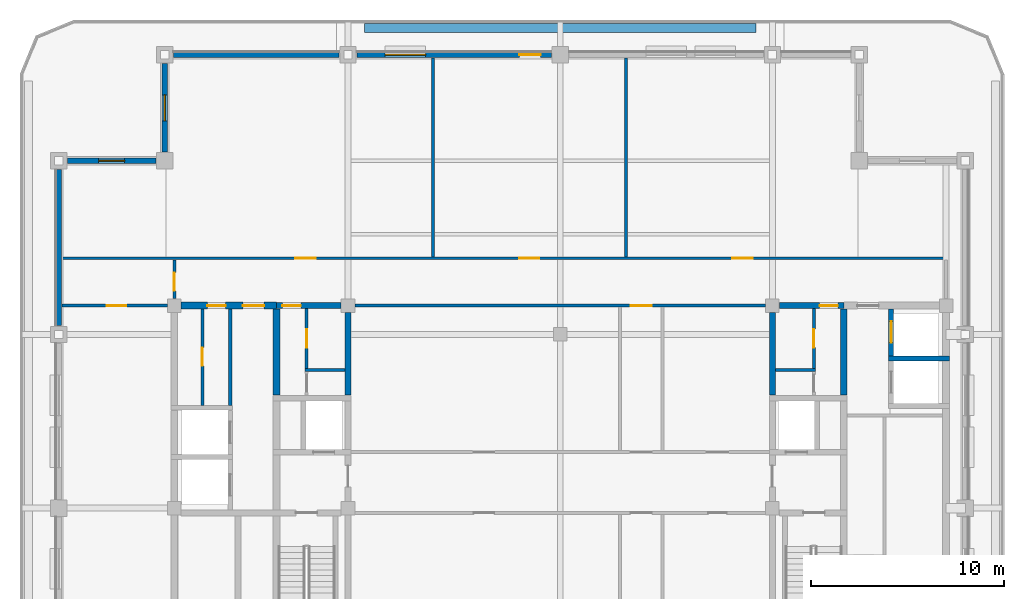
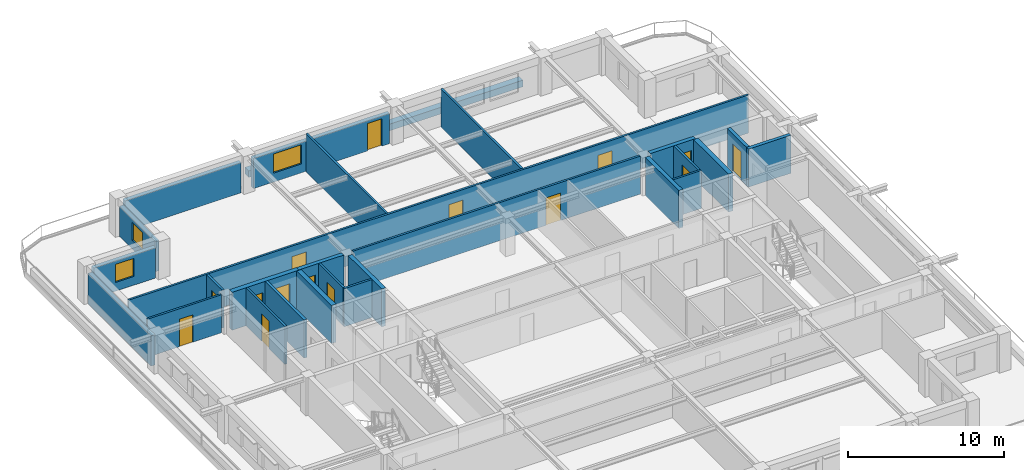
# One storey, part 5 of 11: 27 walls, 15 doors, 3 windows, 18 openings.
"""IFC4 building model written with IfcOpenShell, lengths in metres."""

from ifc_helpers import new_model, si_unit, direction, frame, frame_2d, origin, place, context, subcontext, project, spatial, rectangle, extrude, material, layer, layer_set, type_object, element, fill, save


model = new_model("IFC4")

# Units and contexts
model_context = context("Model", 3, precision=1e-05, world=origin(), true_north=direction((0.0, 1.0)))
body_context = subcontext(model_context, "Body", "Model", "MODEL_VIEW")
ifc_project = project(units=[si_unit("LENGTHUNIT", "METRE"), si_unit("AREAUNIT", "SQUARE_METRE"), si_unit("VOLUMEUNIT", "CUBIC_METRE"), si_unit("PLANEANGLEUNIT", "RADIAN"), si_unit("MASSUNIT", "GRAM", prefix="KILO")], contexts=[model_context])

# Site, building, storey
site_placement = place(None, origin())
site = spatial("IfcSite", under=ifc_project, at=site_placement, CompositionType="ELEMENT")
building_placement = place(site_placement, origin())
building = spatial("IfcBuilding", under=site, at=building_placement, Name="Zulmaris Gate Convention Tower", CompositionType="ELEMENT")
storey_placement = place(building_placement, frame((0.0, 0.0, 260.889892578125)))
storey = spatial("IfcBuildingStorey", under=building, at=storey_placement, Name="L69", CompositionType="ELEMENT", Elevation=260.889892578125)

# Wall
ifc_material_1 = material(Name="Concrete C50/60", Category="concrete")
ifc_layer_1 = layer(ifc_material_1, 0.25, Name="Concrete C50/60")
ifc_layer_set_1 = layer_set([ifc_layer_1], Name="Concrete C50/60")
wall_type_1 = type_object("IfcWallType", Name="CORE-250", PredefinedType="SOLIDWALL", material=ifc_layer_set_1)
wall_1_placement = place(storey_placement, frame((17.02490234375, 7.75, 0.0), z_axis=(0.0, 0.0, 1.0), x_axis=(1.0, 0.0, 0.0)))
element("IfcWall", 1, at=wall_1_placement, inside=storey, type_object=wall_type_1, Name="WL-L69-014", PredefinedType="SOLIDWALL", context=body_context, shape_type="SweptSolid", body=[
    extrude(rectangle(XDim=3.150146484375, YDim=0.25, at=frame_2d((1.5751953125, 0.0))), origin(), (0.0, 0.0, 1.0), 2.97998046875),
])

# Wall, opening, door
wall_2_placement = place(storey_placement, frame((17.14990234375, 7.876953125, 0.0), z_axis=(0.0, 0.0, 1.0), x_axis=(0.0, 1.0, 0.0)))
wall_2 = element("IfcWall", 2, at=wall_2_placement, inside=storey, type_object=wall_type_1, Name="WL-L69-060", PredefinedType="SOLIDWALL", context=body_context, shape_type="SweptSolid", body=[
    extrude(rectangle(XDim=2.446044921875, YDim=0.25, at=frame_2d((1.22314453125, 0.0))), origin(), (0.0, 0.0, 1.0), 2.97998046875),
])
opening_1_placement = place(wall_2_placement, frame((0.697998046875, 0.0, 0.0)))
opening_1 = element("IfcOpeningElement", 3, at=opening_1_placement, cuts=wall_2, Name="Opening D-06", PredefinedType="OPENING", context=body_context, shape_type="SweptSolid", body=[
    extrude(rectangle(XDim=1.10009765625, YDim=2.199951171875, at=frame_2d((0.550048828125, 1.10009765625))), frame((0.0, 0.135009765625, 0.0), z_axis=(0.0, -1.0, 0.0), x_axis=(1.0, 0.0, 0.0)), (0.0, 0.0, 1.0), 0.27001953125),
])
ifc_material_2 = material(Name="Brushed Stainless Steel", Category="steel")
door_type_1 = type_object("IfcDoorType", Name="LD-1100", OperationType="NOTDEFINED", PredefinedType="DOOR", material=ifc_material_2)
door_1_placement = place(opening_1_placement, origin())
door_1 = element("IfcDoor", 4, at=door_1_placement, inside=storey, type_object=door_type_1, Name="L69 Lift Landing Door HP-02 20", OperationType="SLIDING_TO_RIGHT", OverallHeight=2.199951171875, OverallWidth=1.10009765625, PredefinedType="DOOR", context=body_context, shape_type="SweptSolid", body=[
    extrude(rectangle(XDim=1.10009765625, YDim=2.199951171875, at=frame_2d((0.550048828125, 1.10009765625))), frame((0.0, 0.02490234375, 0.0), z_axis=(0.0, -1.0, 0.0), x_axis=(1.0, 0.0, 0.0)), (0.0, 0.0, 1.0), 0.050048828125),
])
fill(opening_1, door_1)

ifc_layer_2 = layer(ifc_material_1, 0.300048828125, Name="Concrete C50/60")
ifc_layer_set_2 = layer_set([ifc_layer_2], Name="Concrete C50/60")
wall_type_2 = type_object("IfcWallType", Name="CORE-300", PredefinedType="SHEAR", material=ifc_layer_set_2)
wall_3_placement = place(storey_placement, frame((-14.699951171875, 10.5, 0.0), z_axis=(0.0, 0.0, 1.0), x_axis=(1.0, 0.0, 0.0)))
wall_3 = element("IfcWall", 5, at=wall_3_placement, inside=storey, type_object=wall_type_2, Name="WL-L69-016", PredefinedType="SHEAR", context=body_context, shape_type="SweptSolid", body=[
    extrude(rectangle(XDim=3.345947265625, YDim=0.300048828125, at=frame_2d((1.6728515625, 0.0))), origin(), (0.0, 0.0, 1.0), 2.97998046875),
])
opening_2_placement = place(wall_3_placement, frame((0.304931640625, 0.0, 0.0)))
opening_2 = element("IfcOpeningElement", 6, at=opening_2_placement, cuts=wall_3, Name="Opening D-11", PredefinedType="OPENING", context=body_context, shape_type="SweptSolid", body=[
    extrude(rectangle(XDim=0.949951171875, YDim=2.14990234375, at=frame_2d((0.47509765625, 1.074951171875))), frame((0.0, 0.16015625, 0.0), z_axis=(0.0, -1.0, 0.0), x_axis=(1.0, 0.0, 0.0)), (0.0, 0.0, 1.0), 0.320068359375),
])
ifc_material_3 = material(Name="Fire-Rated Timber", Category="wood")
door_type_2 = type_object("IfcDoorType", Name="DR-950-FD", OperationType="NOTDEFINED", PredefinedType="DOOR", material=ifc_material_3)
door_2_placement = place(opening_2_placement, origin())
door_2 = element("IfcDoor", 7, at=door_2_placement, inside=storey, type_object=door_type_2, Name="L69 Core West Passage Door 07", OperationType="SINGLE_SWING_RIGHT", OverallHeight=2.14990234375, OverallWidth=0.949951171875, PredefinedType="DOOR", context=body_context, shape_type="SweptSolid", body=[
    extrude(rectangle(XDim=0.949951171875, YDim=2.14990234375, at=frame_2d((0.47509765625, 1.074951171875))), frame((0.0, 0.02490234375, 0.0), z_axis=(0.0, -1.0, 0.0), x_axis=(1.0, 0.0, 0.0)), (0.0, 0.0, 1.0), 0.050048828125),
])
fill(opening_2, door_2)

wall_4_placement = place(storey_placement, frame((11.35400390625, 10.5, 0.0), z_axis=(0.0, 0.0, 1.0), x_axis=(1.0, 0.0, 0.0)))
wall_4 = element("IfcWall", 8, at=wall_4_placement, inside=storey, type_object=wall_type_2, Name="WL-L69-017", PredefinedType="SHEAR", context=body_context, shape_type="SweptSolid", body=[
    extrude(rectangle(XDim=3.345947265625, YDim=0.300048828125, at=frame_2d((1.6728515625, 0.0))), origin(), (0.0, 0.0, 1.0), 2.97998046875),
])
opening_3_placement = place(wall_4_placement, frame((2.091064453125, 0.0, 0.0)))
opening_3 = element("IfcOpeningElement", 9, at=opening_3_placement, cuts=wall_4, Name="Opening D-11", PredefinedType="OPENING", context=body_context, shape_type="SweptSolid", body=[
    extrude(rectangle(XDim=0.949951171875, YDim=2.14990234375, at=frame_2d((0.47509765625, 1.074951171875))), frame((0.0, 0.16015625, 0.0), z_axis=(0.0, -1.0, 0.0), x_axis=(1.0, 0.0, 0.0)), (0.0, 0.0, 1.0), 0.320068359375),
])
door_3_placement = place(opening_3_placement, origin())
door_3 = element("IfcDoor", 10, at=door_3_placement, inside=storey, type_object=door_type_2, Name="L69 Core East Passage Door 10", OperationType="SINGLE_SWING_LEFT", OverallHeight=2.14990234375, OverallWidth=0.949951171875, PredefinedType="DOOR", context=body_context, shape_type="SweptSolid", body=[
    extrude(rectangle(XDim=0.949951171875, YDim=2.14990234375, at=frame_2d((0.47509765625, 1.074951171875))), frame((0.0, 0.02490234375, 0.0), z_axis=(0.0, -1.0, 0.0), x_axis=(1.0, 0.0, 0.0)), (0.0, 0.0, 1.0), 0.050048828125),
])
fill(opening_3, door_3)

# Walls
for number, where, z_axis, x_axis, name in (
    (11, (-11.0, 5.85205078125, 0.0), (0.0, 0.0, 1.0), (0.0, 1.0, 0.0), "WL-L69-048"),
    (12, (11.0, 5.85205078125, 0.0), (0.0, 0.0, 1.0), (0.0, 1.0, 0.0), "WL-L69-052"),
):
    element("IfcWall", number, at=place(storey_placement, frame(where, z_axis=z_axis, x_axis=x_axis)), inside=storey, type_object=wall_type_2, Name=name, PredefinedType="SHEAR", context=body_context, shape_type="SweptSolid", body=[
        extrude(rectangle(XDim=4.2939453125, YDim=0.300048828125, at=frame_2d((2.14697265625, 0.0))), origin(), (0.0, 0.0, 1.0), 2.97998046875),
    ])

# Wall, openings, doors
ifc_material_4 = material(Name="Concrete C55/67", Category="concrete")
ifc_layer_3 = layer(ifc_material_4, 0.35009765625, Name="Concrete C55/67")
ifc_layer_set_3 = layer_set([ifc_layer_3], Name="Concrete C55/67")
wall_type_3 = type_object("IfcWallType", Name="CORE-350", PredefinedType="SHEAR", material=ifc_layer_set_3)
wall_5_placement = place(storey_placement, frame((-19.64599609375, 10.5, 0.0), z_axis=(0.0, 0.0, 1.0), x_axis=(1.0, 0.0, 0.0)))
wall_5 = element("IfcWall", 13, at=wall_5_placement, inside=storey, type_object=wall_type_3, Name="WL-L69-015", PredefinedType="SHEAR", context=body_context, shape_type="SweptSolid", body=[
    extrude(rectangle(XDim=4.946044921875, YDim=0.35009765625, at=frame_2d((2.47314453125, 0.0))), origin(), (0.0, 0.0, 1.0), 2.97998046875),
])
opening_4_placement = place(wall_5_placement, frame((3.196044921875, 0.0, 0.0)))
opening_4 = element("IfcOpeningElement", 14, at=opening_4_placement, cuts=wall_5, Name="Opening D-08", PredefinedType="OPENING", context=body_context, shape_type="SweptSolid", body=[
    extrude(rectangle(XDim=1.10009765625, YDim=2.14990234375, at=frame_2d((0.550048828125, 1.074951171875))), frame((0.0, 0.18505859375, 0.0), z_axis=(0.0, -1.0, 0.0), x_axis=(1.0, 0.0, 0.0)), (0.0, 0.0, 1.0), 0.3701171875),
])
opening_5_placement = place(wall_5_placement, frame((1.35107421875, 0.0, 0.0)))
opening_5 = element("IfcOpeningElement", 15, at=opening_5_placement, cuts=wall_5, Name="Opening D-11", PredefinedType="OPENING", context=body_context, shape_type="SweptSolid", body=[
    extrude(rectangle(XDim=0.949951171875, YDim=2.14990234375, at=frame_2d((0.47509765625, 1.074951171875))), frame((0.0, 0.18505859375, 0.0), z_axis=(0.0, -1.0, 0.0), x_axis=(1.0, 0.0, 0.0)), (0.0, 0.0, 1.0), 0.3701171875),
])
ifc_material_5 = material(Name="Fire-Rated Steel", Category="steel")
door_type_3 = type_object("IfcDoorType", Name="DR-1100-FD", OperationType="NOTDEFINED", PredefinedType="DOOR", material=ifc_material_5)
door_4_placement = place(opening_4_placement, origin())
door_4 = element("IfcDoor", 16, at=door_4_placement, inside=storey, type_object=door_type_3, Name="L69 High-Rise West Lift Lobby Door 16", OperationType="SINGLE_SWING_LEFT", OverallHeight=2.14990234375, OverallWidth=1.10009765625, PredefinedType="DOOR", context=body_context, shape_type="SweptSolid", body=[
    extrude(rectangle(XDim=1.10009765625, YDim=2.14990234375, at=frame_2d((0.550048828125, 1.074951171875))), frame((0.0, 0.02490234375, 0.0), z_axis=(0.0, -1.0, 0.0), x_axis=(1.0, 0.0, 0.0)), (0.0, 0.0, 1.0), 0.050048828125),
])
fill(opening_4, door_4)
door_5_placement = place(opening_5_placement, origin())
door_5 = element("IfcDoor", 17, at=door_5_placement, inside=storey, type_object=door_type_2, Name="L69 Tray Closet Door 17", OperationType="SINGLE_SWING_RIGHT", OverallHeight=2.14990234375, OverallWidth=0.949951171875, PredefinedType="DOOR", context=body_context, shape_type="SweptSolid", body=[
    extrude(rectangle(XDim=0.949951171875, YDim=2.14990234375, at=frame_2d((0.47509765625, 1.074951171875))), frame((0.0, 0.02490234375, 0.0), z_axis=(0.0, -1.0, 0.0), x_axis=(1.0, 0.0, 0.0)), (0.0, 0.0, 1.0), 0.050048828125),
])
fill(opening_5, door_5)

# Walls
for number, where, z_axis, x_axis, name in (
    (18, (-14.699951171875, 5.85205078125, 0.0), (0.0, 0.0, 1.0), (0.0, 1.0, 0.0), "WL-L69-042"),
    (19, (14.699951171875, 5.85205078125, 0.0), (0.0, 0.0, 1.0), (0.0, 1.0, 0.0), "WL-L69-058"),
):
    element("IfcWall", number, at=place(storey_placement, frame(where, z_axis=z_axis, x_axis=x_axis)), inside=storey, type_object=wall_type_3, Name=name, PredefinedType="SHEAR", context=body_context, shape_type="SweptSolid", body=[
        extrude(rectangle(XDim=4.470947265625, YDim=0.35009765625, at=frame_2d((2.2353515625, 0.0))), origin(), (0.0, 0.0, 1.0), 2.97998046875),
    ])
ifc_material_6 = material(Name="Gypsum Metal Stud Partition")
ifc_layer_4 = layer(ifc_material_6, 0.14990234375, Name="Gypsum Metal Stud Partition")
ifc_layer_set_4 = layer_set([ifc_layer_4], Name="Gypsum Metal Stud Partition")
wall_type_4 = type_object("IfcWallType", Name="PART-150", PredefinedType="PARTITIONING", material=ifc_layer_set_4)
for number, where, z_axis, x_axis, name in (
    (20, (-13.22509765625, 7.14990234375, 0.0), (0.0, 0.0, 1.0), (1.0, 0.0, 0.0), "WL-L69-027"),
    (21, (11.153076171875, 7.14990234375, 0.0), (0.0, 0.0, 1.0), (1.0, 0.0, 0.0), "WL-L69-028"),
):
    element("IfcWall", number, at=place(storey_placement, frame(where, z_axis=z_axis, x_axis=x_axis)), inside=storey, type_object=wall_type_4, Name=name, PredefinedType="PARTITIONING", context=body_context, shape_type="SweptSolid", body=[
        extrude(rectangle(XDim=2.072021484375, YDim=0.14990234375, at=frame_2d((1.0361328125, 0.0))), origin(), (0.0, 0.0, 1.0), 2.97998046875),
    ])

# Wall, opening, door
wall_6_placement = place(storey_placement, frame((-25.8349609375, 10.5, 0.0), z_axis=(0.0, 0.0, 1.0), x_axis=(1.0, 0.0, 0.0)))
wall_6 = element("IfcWall", 22, at=wall_6_placement, inside=storey, type_object=wall_type_4, Name="WL-L69-029", PredefinedType="PARTITIONING", context=body_context, shape_type="SweptSolid", body=[
    extrude(rectangle(XDim=5.47900390625, YDim=0.14990234375, at=frame_2d((2.739501953125, 0.0))), origin(), (0.0, 0.0, 1.0), 2.97998046875),
])
opening_6_placement = place(wall_6_placement, frame((2.3349609375, 0.0, 0.0)))
opening_6 = element("IfcOpeningElement", 23, at=opening_6_placement, cuts=wall_6, Name="Opening D-10", PredefinedType="OPENING", context=body_context, shape_type="SweptSolid", body=[
    extrude(rectangle(XDim=1.0, YDim=2.14990234375, at=frame_2d((0.5, 1.074951171875))), frame((0.0, 0.0849609375, 0.0), z_axis=(0.0, -1.0, 0.0), x_axis=(1.0, 0.0, 0.0)), (0.0, 0.0, 1.0), 0.169921875),
])
door_type_4 = type_object("IfcDoorType", Name="DR-1000-FD", OperationType="NOTDEFINED", PredefinedType="DOOR", material=ifc_material_3)
door_6_placement = place(opening_6_placement, origin())
door_6 = element("IfcDoor", 24, at=door_6_placement, inside=storey, type_object=door_type_4, Name="L69 West Workplace North Door 42", OperationType="SINGLE_SWING_LEFT", OverallHeight=2.14990234375, OverallWidth=1.0, PredefinedType="DOOR", context=body_context, shape_type="SweptSolid", body=[
    extrude(rectangle(XDim=1.0, YDim=2.14990234375, at=frame_2d((0.5, 1.074951171875))), frame((0.0, 0.02490234375, 0.0), z_axis=(0.0, -1.0, 0.0), x_axis=(1.0, 0.0, 0.0)), (0.0, 0.0, 1.0), 0.050048828125),
])
fill(opening_6, door_6)

wall_7_placement = place(storey_placement, frame((-10.64404296875, 10.5, 0.0), z_axis=(0.0, 0.0, 1.0), x_axis=(1.0, 0.0, 0.0)))
wall_7 = element("IfcWall", 25, at=wall_7_placement, inside=storey, type_object=wall_type_4, Name="WL-L69-030", PredefinedType="PARTITIONING", context=body_context, shape_type="SweptSolid", body=[
    extrude(rectangle(XDim=21.2880859375, YDim=0.14990234375, at=frame_2d((10.64404296875, 0.0))), origin(), (0.0, 0.0, 1.0), 2.97998046875),
])
opening_7_placement = place(wall_7_placement, frame((14.2939453125, 0.0, 0.0)))
opening_7 = element("IfcOpeningElement", 26, at=opening_7_placement, cuts=wall_7, Name="Opening D-08", PredefinedType="OPENING", context=body_context, shape_type="SweptSolid", body=[
    extrude(rectangle(XDim=1.10009765625, YDim=2.14990234375, at=frame_2d((0.550048828125, 1.074951171875))), frame((0.0, 0.0849609375, 0.0), z_axis=(0.0, -1.0, 0.0), x_axis=(1.0, 0.0, 0.0)), (0.0, 0.0, 1.0), 0.169921875),
])
door_7_placement = place(opening_7_placement, origin())
door_7 = element("IfcDoor", 27, at=door_7_placement, inside=storey, type_object=door_type_3, Name="L69 Exec North Link Door 25", OperationType="SINGLE_SWING_RIGHT", OverallHeight=2.14990234375, OverallWidth=1.10009765625, PredefinedType="DOOR", context=body_context, shape_type="SweptSolid", body=[
    extrude(rectangle(XDim=1.10009765625, YDim=2.14990234375, at=frame_2d((0.550048828125, 1.074951171875))), frame((0.0, 0.02490234375, 0.0), z_axis=(0.0, -1.0, 0.0), x_axis=(1.0, 0.0, 0.0)), (0.0, 0.0, 1.0), 0.050048828125),
])
fill(opening_7, door_7)

# Wall, openings, doors
wall_8_placement = place(storey_placement, frame((-25.8349609375, 12.949951171875, 0.0), z_axis=(0.0, 0.0, 1.0), x_axis=(1.0, 0.0, 0.0)))
wall_8 = element("IfcWall", 28, at=wall_8_placement, inside=storey, type_object=wall_type_4, Name="WL-L69-031", PredefinedType="PARTITIONING", context=body_context, shape_type="SweptSolid", body=[
    extrude(rectangle(XDim=45.909912109375, YDim=0.14990234375, at=frame_2d((22.955078125, 0.0))), origin(), (0.0, 0.0, 1.0), 2.97998046875),
])
opening_8_placement = place(wall_8_placement, frame((12.110107421875, 0.0, 0.0)))
opening_8 = element("IfcOpeningElement", 29, at=opening_8_placement, cuts=wall_8, Name="Opening D-09", PredefinedType="OPENING", context=body_context, shape_type="SweptSolid", body=[
    extrude(rectangle(XDim=1.050048828125, YDim=2.14990234375, at=frame_2d((0.52490234375, 1.074951171875))), frame((0.0, 0.0849609375, 0.0), z_axis=(0.0, -1.0, 0.0), x_axis=(1.0, 0.0, 0.0)), (0.0, 0.0, 1.0), 0.169921875),
])
opening_9_placement = place(wall_8_placement, frame((23.7099609375, 0.0, 0.0)))
opening_9 = element("IfcOpeningElement", 30, at=opening_9_placement, cuts=wall_8, Name="Opening D-09", PredefinedType="OPENING", context=body_context, shape_type="SweptSolid", body=[
    extrude(rectangle(XDim=1.050048828125, YDim=2.14990234375, at=frame_2d((0.52490234375, 1.074951171875))), frame((0.0, 0.0849609375, 0.0), z_axis=(0.0, -1.0, 0.0), x_axis=(1.0, 0.0, 0.0)), (0.0, 0.0, 1.0), 0.169921875),
])
opening_10_placement = place(wall_8_placement, frame((34.760009765625, 0.0, 0.0)))
opening_10 = element("IfcOpeningElement", 31, at=opening_10_placement, cuts=wall_8, Name="Opening D-09", PredefinedType="OPENING", context=body_context, shape_type="SweptSolid", body=[
    extrude(rectangle(XDim=1.050048828125, YDim=2.14990234375, at=frame_2d((0.52490234375, 1.074951171875))), frame((0.0, 0.0849609375, 0.0), z_axis=(0.0, -1.0, 0.0), x_axis=(1.0, 0.0, 0.0)), (0.0, 0.0, 1.0), 0.169921875),
])
door_type_5 = type_object("IfcDoorType", Name="DR-1050-FD", OperationType="NOTDEFINED", PredefinedType="DOOR", material=ifc_material_5)
door_8_placement = place(opening_8_placement, origin())
door_8 = element("IfcDoor", 32, at=door_8_placement, inside=storey, type_object=door_type_5, Name="L69 Partner Corner Office Door 29", OperationType="SINGLE_SWING_RIGHT", OverallHeight=2.14990234375, OverallWidth=1.050048828125, PredefinedType="DOOR", context=body_context, shape_type="SweptSolid", body=[
    extrude(rectangle(XDim=1.050048828125, YDim=2.14990234375, at=frame_2d((0.52490234375, 1.074951171875))), frame((0.0, 0.02490234375, 0.0), z_axis=(0.0, -1.0, 0.0), x_axis=(1.0, 0.0, 0.0)), (0.0, 0.0, 1.0), 0.050048828125),
])
fill(opening_8, door_8)
door_9_placement = place(opening_9_placement, origin())
door_9 = element("IfcDoor", 33, at=door_9_placement, inside=storey, type_object=door_type_5, Name="L69 Advisory Suite Office Door 30", OperationType="SINGLE_SWING_LEFT", OverallHeight=2.14990234375, OverallWidth=1.050048828125, PredefinedType="DOOR", context=body_context, shape_type="SweptSolid", body=[
    extrude(rectangle(XDim=1.050048828125, YDim=2.14990234375, at=frame_2d((0.52490234375, 1.074951171875))), frame((0.0, 0.02490234375, 0.0), z_axis=(0.0, -1.0, 0.0), x_axis=(1.0, 0.0, 0.0)), (0.0, 0.0, 1.0), 0.050048828125),
])
fill(opening_9, door_9)
door_10_placement = place(opening_10_placement, origin())
door_10 = element("IfcDoor", 34, at=door_10_placement, inside=storey, type_object=door_type_5, Name="L69 Open Plan Workplace Door 31", OperationType="SINGLE_SWING_RIGHT", OverallHeight=2.14990234375, OverallWidth=1.050048828125, PredefinedType="DOOR", context=body_context, shape_type="SweptSolid", body=[
    extrude(rectangle(XDim=1.050048828125, YDim=2.14990234375, at=frame_2d((0.52490234375, 1.074951171875))), frame((0.0, 0.02490234375, 0.0), z_axis=(0.0, -1.0, 0.0), x_axis=(1.0, 0.0, 0.0)), (0.0, 0.0, 1.0), 0.050048828125),
])
fill(opening_10, door_10)

# Wall, opening, door
wall_9_placement = place(storey_placement, frame((-20.0, 10.85595703125, 0.0), z_axis=(0.0, 0.0, 1.0), x_axis=(0.0, 1.0, 0.0)))
wall_9 = element("IfcWall", 35, at=wall_9_placement, inside=storey, type_object=wall_type_4, Name="WL-L69-066", PredefinedType="PARTITIONING", context=body_context, shape_type="SweptSolid", body=[
    extrude(rectangle(XDim=2.01611328125, YDim=0.14990234375, at=frame_2d((1.008056640625, 0.0))), origin(), (0.0, 0.0, 1.0), 2.97998046875),
])
opening_11_placement = place(wall_9_placement, frame((0.39892578125, 0.0, 0.0)))
opening_11 = element("IfcOpeningElement", 36, at=opening_11_placement, cuts=wall_9, Name="Opening D-11", PredefinedType="OPENING", context=body_context, shape_type="SweptSolid", body=[
    extrude(rectangle(XDim=0.949951171875, YDim=2.14990234375, at=frame_2d((0.47509765625, 1.074951171875))), frame((0.0, 0.0849609375, 0.0), z_axis=(0.0, -1.0, 0.0), x_axis=(1.0, 0.0, 0.0)), (0.0, 0.0, 1.0), 0.169921875),
])
door_11_placement = place(opening_11_placement, origin())
door_11 = element("IfcDoor", 37, at=door_11_placement, inside=storey, type_object=door_type_2, Name="L69 NW Spur Door 40", OperationType="SINGLE_SWING_LEFT", OverallHeight=2.14990234375, OverallWidth=0.949951171875, PredefinedType="DOOR", context=body_context, shape_type="SweptSolid", body=[
    extrude(rectangle(XDim=0.949951171875, YDim=2.14990234375, at=frame_2d((0.47509765625, 1.074951171875))), frame((0.0, 0.02490234375, 0.0), z_axis=(0.0, -1.0, 0.0), x_axis=(1.0, 0.0, 0.0)), (0.0, 0.0, 1.0), 0.050048828125),
])
fill(opening_11, door_11)

wall_10_placement = place(storey_placement, frame((-18.550048828125, 5.327880859375, 0.0), z_axis=(0.0, 0.0, 1.0), x_axis=(0.0, 1.0, 0.0)))
wall_10 = element("IfcWall", 38, at=wall_10_placement, inside=storey, type_object=wall_type_4, Name="WL-L69-067", PredefinedType="PARTITIONING", context=body_context, shape_type="SweptSolid", body=[
    extrude(rectangle(XDim=4.994140625, YDim=0.14990234375, at=frame_2d((2.4970703125, 0.0))), origin(), (0.0, 0.0, 1.0), 2.97998046875),
])
opening_12_placement = place(wall_10_placement, frame((2.047119140625, 0.0, 0.0)))
opening_12 = element("IfcOpeningElement", 39, at=opening_12_placement, cuts=wall_10, Name="Opening D-11", PredefinedType="OPENING", context=body_context, shape_type="SweptSolid", body=[
    extrude(rectangle(XDim=0.949951171875, YDim=2.14990234375, at=frame_2d((0.47509765625, 1.074951171875))), frame((0.0, 0.0849609375, 0.0), z_axis=(0.0, -1.0, 0.0), x_axis=(1.0, 0.0, 0.0)), (0.0, 0.0, 1.0), 0.169921875),
])
door_12_placement = place(opening_12_placement, origin())
door_12 = element("IfcDoor", 40, at=door_12_placement, inside=storey, type_object=door_type_2, Name="L69 Housekeeping Door 18", OperationType="SINGLE_SWING_LEFT", OverallHeight=2.14990234375, OverallWidth=0.949951171875, PredefinedType="DOOR", context=body_context, shape_type="SweptSolid", body=[
    extrude(rectangle(XDim=0.949951171875, YDim=2.14990234375, at=frame_2d((0.47509765625, 1.074951171875))), frame((0.0, 0.02490234375, 0.0), z_axis=(0.0, -1.0, 0.0), x_axis=(1.0, 0.0, 0.0)), (0.0, 0.0, 1.0), 0.050048828125),
])
fill(opening_12, door_12)

wall_11_placement = place(storey_placement, frame((-13.14990234375, 7.22802734375, 0.0), z_axis=(0.0, 0.0, 1.0), x_axis=(0.0, 1.0, 0.0)))
wall_11 = element("IfcWall", 41, at=wall_11_placement, inside=storey, type_object=wall_type_4, Name="WL-L69-070", PredefinedType="PARTITIONING", context=body_context, shape_type="SweptSolid", body=[
    extrude(rectangle(XDim=3.118896484375, YDim=0.14990234375, at=frame_2d((1.5595703125, 0.0))), origin(), (0.0, 0.0, 1.0), 2.97998046875),
])
opening_13_placement = place(wall_11_placement, frame((1.096923828125, 0.0, 0.0)))
opening_13 = element("IfcOpeningElement", 42, at=opening_13_placement, cuts=wall_11, Name="Opening D-11", PredefinedType="OPENING", context=body_context, shape_type="SweptSolid", body=[
    extrude(rectangle(XDim=0.949951171875, YDim=2.14990234375, at=frame_2d((0.47509765625, 1.074951171875))), frame((0.0, 0.0849609375, 0.0), z_axis=(0.0, -1.0, 0.0), x_axis=(1.0, 0.0, 0.0)), (0.0, 0.0, 1.0), 0.169921875),
])
door_13_placement = place(opening_13_placement, origin())
door_13 = element("IfcDoor", 43, at=door_13_placement, inside=storey, type_object=door_type_2, Name="L69 Meter Closet Door 09", OperationType="SINGLE_SWING_RIGHT", OverallHeight=2.14990234375, OverallWidth=0.949951171875, PredefinedType="DOOR", context=body_context, shape_type="SweptSolid", body=[
    extrude(rectangle(XDim=0.949951171875, YDim=2.14990234375, at=frame_2d((0.47509765625, 1.074951171875))), frame((0.0, 0.02490234375, 0.0), z_axis=(0.0, -1.0, 0.0), x_axis=(1.0, 0.0, 0.0)), (0.0, 0.0, 1.0), 0.050048828125),
])
fill(opening_13, door_13)

# Walls
for number, where, z_axis, x_axis, name in (
    (44, (-6.60009765625, 13.028076171875, 0.0), (0.0, 0.0, 1.0), (0.0, 1.0, 0.0), "WL-L69-071"),
    (45, (3.39990234375, 13.028076171875, 0.0), (0.0, 0.0, 1.0), (0.0, 1.0, 0.0), "WL-L69-075"),
):
    element("IfcWall", number, at=place(storey_placement, frame(where, z_axis=z_axis, x_axis=x_axis)), inside=storey, type_object=wall_type_4, Name=name, PredefinedType="PARTITIONING", context=body_context, shape_type="SweptSolid", body=[
        extrude(rectangle(XDim=10.306884765625, YDim=0.14990234375, at=frame_2d((5.1533203125, 0.0))), origin(), (0.0, 0.0, 1.0), 2.97998046875),
    ])

# Wall, opening, door
wall_12_placement = place(storey_placement, frame((13.14990234375, 7.22802734375, 0.0), z_axis=(0.0, 0.0, 1.0), x_axis=(0.0, 1.0, 0.0)))
wall_12 = element("IfcWall", 46, at=wall_12_placement, inside=storey, type_object=wall_type_4, Name="WL-L69-081", PredefinedType="PARTITIONING", context=body_context, shape_type="SweptSolid", body=[
    extrude(rectangle(XDim=3.118896484375, YDim=0.14990234375, at=frame_2d((1.5595703125, 0.0))), origin(), (0.0, 0.0, 1.0), 2.97998046875),
])
opening_14_placement = place(wall_12_placement, frame((1.096923828125, 0.0, 0.0)))
opening_14 = element("IfcOpeningElement", 47, at=opening_14_placement, cuts=wall_12, Name="Opening D-11", PredefinedType="OPENING", context=body_context, shape_type="SweptSolid", body=[
    extrude(rectangle(XDim=0.949951171875, YDim=2.14990234375, at=frame_2d((0.47509765625, 1.074951171875))), frame((0.0, 0.0849609375, 0.0), z_axis=(0.0, -1.0, 0.0), x_axis=(1.0, 0.0, 0.0)), (0.0, 0.0, 1.0), 0.169921875),
])
door_14_placement = place(opening_14_placement, origin())
door_14 = element("IfcDoor", 48, at=door_14_placement, inside=storey, type_object=door_type_2, Name="L69 Core Hygiene Store Door 12", OperationType="SINGLE_SWING_LEFT", OverallHeight=2.14990234375, OverallWidth=0.949951171875, PredefinedType="DOOR", context=body_context, shape_type="SweptSolid", body=[
    extrude(rectangle(XDim=0.949951171875, YDim=2.14990234375, at=frame_2d((0.47509765625, 1.074951171875))), frame((0.0, 0.02490234375, 0.0), z_axis=(0.0, -1.0, 0.0), x_axis=(1.0, 0.0, 0.0)), (0.0, 0.0, 1.0), 0.050048828125),
])
fill(opening_14, door_14)

# Walls
ifc_material_7 = material(Name="Autoclaved Aerated Concrete Block and Plasterboard", Category="concrete")
ifc_layer_5 = layer(ifc_material_7, 0.199951171875, Name="Autoclaved Aerated Concrete Block and Plasterboard")
ifc_layer_set_5 = layer_set([ifc_layer_5], Name="Autoclaved Aerated Concrete Block and Plasterboard")
wall_type_5 = type_object("IfcWallType", Name="PART-200", PredefinedType="PARTITIONING", material=ifc_layer_set_5)
wall_13_placement = place(storey_placement, frame((-17.10009765625, 5.327880859375, 0.0), z_axis=(0.0, 0.0, 1.0), x_axis=(0.0, 1.0, 0.0)))
element("IfcWall", 49, at=wall_13_placement, inside=storey, type_object=wall_type_5, Name="WL-L69-068", PredefinedType="PARTITIONING", context=body_context, shape_type="SweptSolid", body=[
    extrude(rectangle(XDim=4.994140625, YDim=0.199951171875, at=frame_2d((2.4970703125, 0.0))), origin(), (0.0, 0.0, 1.0), 2.97998046875),
])
ifc_material_8 = material(Name="Botanical Green Glazed Precast Concrete C40/50", Category="concrete")
ifc_layer_6 = layer(ifc_material_8, 0.419921875, Name="Botanical Green Glazed Precast Concrete C40/50")
ifc_layer_set_6 = layer_set([ifc_layer_6], Name="Botanical Green Glazed Precast Concrete C40/50")
wall_type_6 = type_object("IfcWallType", Name="PLANTER-CURB-200", PredefinedType="PARAPET", material=ifc_layer_set_6)
wall_14_placement = place(storey_placement, frame((-10.14990234375, 24.8798828125, -0.0400390625), z_axis=(0.0, 0.0, 1.0), x_axis=(1.0, 0.0, 0.0)))
element("IfcWall", 50, at=wall_14_placement, inside=storey, type_object=wall_type_6, Name="L69 Full-Length Balcony Tree Planter Trough", PredefinedType="PARAPET", context=body_context, shape_type="SweptSolid", body=[
    extrude(rectangle(XDim=20.2998046875, YDim=0.47998046875, at=frame_2d((10.14990234375, 0.0))), origin(), (0.0, 0.0, 1.0), 0.52001953125),
])

# Wall, opening, window
ifc_material_9 = material(Name="Precast concrete C40/50", Category="concrete")
ifc_layer_7 = layer(ifc_material_9, 0.300048828125, Name="Precast concrete C40/50")
ifc_layer_set_7 = layer_set([ifc_layer_7], Name="Precast concrete C40/50")
wall_type_7 = type_object("IfcWallType", Name="PRECAST-PIER-300", PredefinedType="STANDARD", material=ifc_layer_set_7)
wall_15_placement = place(storey_placement, frame((-20.5, 23.044921875, 0.0), z_axis=(0.0, 0.0, 1.0), x_axis=(0.0, -1.0, 0.0)))
wall_15 = element("IfcWall", 51, at=wall_15_placement, inside=storey, type_object=wall_type_7, Name="EW-L69-NOTCH-NW1_0", PredefinedType="STANDARD", context=body_context, shape_type="SweptSolid", body=[
    extrude(rectangle(XDim=4.58984375, YDim=0.300048828125, at=frame_2d((2.294921875, 0.0))), origin(), (0.0, 0.0, 1.0), 2.3720703125),
])
opening_15_placement = place(wall_15_placement, frame((1.6201171875, 0.0, 0.679931640625)))
opening_15 = element("IfcOpeningElement", 52, at=opening_15_placement, cuts=wall_15, Name="Opening W-10", PredefinedType="OPENING", context=body_context, shape_type="SweptSolid", body=[
    extrude(rectangle(XDim=1.35009765625, YDim=1.419921875, at=frame_2d((0.675048828125, 0.7099609375))), frame((0.0, 0.16015625, 0.0), z_axis=(0.0, -1.0, 0.0), x_axis=(1.0, 0.0, 0.0)), (0.0, 0.0, 1.0), 0.320068359375),
])
ifc_material_10 = material(Name="Low-E Laminated Double Glazing in Aluminium Frame", Category="aluminium")
window_type_1 = type_object("IfcWindowType", Name="WIN-1350x2000", PartitioningType="SINGLE_PANEL", PredefinedType="WINDOW", material=ifc_material_10)
window_1_placement = place(opening_15_placement, origin())
window_1 = element("IfcWindow", 53, at=window_1_placement, inside=storey, type_object=window_type_1, Name="WN-EW-L69-NOTCH-NW1_0", OverallHeight=1.419921875, OverallWidth=1.35009765625, PartitioningType="SINGLE_PANEL", PredefinedType="WINDOW", context=body_context, shape_type="SweptSolid", body=[
    extrude(rectangle(XDim=1.35009765625, YDim=1.419921875, at=frame_2d((0.675048828125, 0.7099609375))), frame((0.0, 0.030029296875, 0.0), z_axis=(0.0, -1.0, 0.0), x_axis=(1.0, 0.0, 0.0)), (0.0, 0.0, 1.0), 0.06005859375),
])
fill(opening_15, window_1)

wall_16_placement = place(storey_placement, frame((-20.955078125, 18.0, 0.0), z_axis=(0.0, 0.0, 1.0), x_axis=(-1.0, 0.0, 0.0)))
wall_16 = element("IfcWall", 54, at=wall_16_placement, inside=storey, type_object=wall_type_7, Name="EW-L69-NOTCH-NW2_0", PredefinedType="STANDARD", context=body_context, shape_type="SweptSolid", body=[
    extrude(rectangle(XDim=4.58984375, YDim=0.300048828125, at=frame_2d((2.294921875, 0.0))), origin(), (0.0, 0.0, 1.0), 2.3720703125),
])
opening_16_placement = place(wall_16_placement, frame((1.6201171875, 0.0, 0.679931640625)))
opening_16 = element("IfcOpeningElement", 55, at=opening_16_placement, cuts=wall_16, Name="Opening W-10", PredefinedType="OPENING", context=body_context, shape_type="SweptSolid", body=[
    extrude(rectangle(XDim=1.35009765625, YDim=1.419921875, at=frame_2d((0.675048828125, 0.7099609375))), frame((0.0, 0.16015625, 0.0), z_axis=(0.0, -1.0, 0.0), x_axis=(1.0, 0.0, 0.0)), (0.0, 0.0, 1.0), 0.320068359375),
])
window_2_placement = place(opening_16_placement, origin())
window_2 = element("IfcWindow", 56, at=window_2_placement, inside=storey, type_object=window_type_1, Name="WN-EW-L69-NOTCH-NW2_0", OverallHeight=1.419921875, OverallWidth=1.35009765625, PartitioningType="SINGLE_PANEL", PredefinedType="WINDOW", context=body_context, shape_type="SweptSolid", body=[
    extrude(rectangle(XDim=1.35009765625, YDim=1.419921875, at=frame_2d((0.675048828125, 0.7099609375))), frame((0.0, 0.030029296875, 0.0), z_axis=(0.0, -1.0, 0.0), x_axis=(1.0, 0.0, 0.0)), (0.0, 0.0, 1.0), 0.06005859375),
])
fill(opening_16, window_2)

# Wall
wall_17_placement = place(storey_placement, frame((-11.455078125, 23.5, 0.0), z_axis=(0.0, 0.0, 1.0), x_axis=(-1.0, 0.0, 0.0)))
element("IfcWall", 57, at=wall_17_placement, inside=storey, type_object=wall_type_7, Name="EW-L69-N-0_0", PredefinedType="STANDARD", context=body_context, shape_type="SweptSolid", body=[
    extrude(rectangle(XDim=8.58984375, YDim=0.300048828125, at=frame_2d((4.294921875, 0.0))), origin(), (0.0, 0.0, 1.0), 2.3720703125),
])

# Wall, openings, door, window
wall_18_placement = place(storey_placement, frame((-0.455078125, 23.5, 0.0), z_axis=(0.0, 0.0, 1.0), x_axis=(-1.0, 0.0, 0.0)))
wall_18 = element("IfcWall", 58, at=wall_18_placement, inside=storey, type_object=wall_type_7, Name="EW-L69-N-1_0", PredefinedType="STANDARD", context=body_context, shape_type="SweptSolid", body=[
    extrude(rectangle(XDim=10.08984375, YDim=0.300048828125, at=frame_2d((5.044921875, 0.0))), origin(), (0.0, 0.0, 1.0), 2.3720703125),
])
opening_17_placement = place(wall_18_placement, frame((0.55810546875, 0.0, 0.0)))
opening_17 = element("IfcOpeningElement", 59, at=opening_17_placement, cuts=wall_18, Name="Opening D-04", PredefinedType="OPENING", context=body_context, shape_type="SweptSolid", body=[
    extrude(rectangle(XDim=1.10009765625, YDim=2.14990234375, at=frame_2d((0.550048828125, 1.074951171875))), frame((0.0, 0.16015625, 0.0), z_axis=(0.0, -1.0, 0.0), x_axis=(1.0, 0.0, 0.0)), (0.0, 0.0, 1.0), 0.320068359375),
])
opening_18_placement = place(wall_18_placement, frame((6.51806640625, 0.0, 0.699951171875)))
opening_18 = element("IfcOpeningElement", 60, at=opening_18_placement, cuts=wall_18, Name="Opening W-05", PredefinedType="OPENING", context=body_context, shape_type="SweptSolid", body=[
    extrude(rectangle(XDim=2.10009765625, YDim=1.5, at=frame_2d((1.050048828125, 0.75))), frame((0.0, 0.16015625, 0.0), z_axis=(0.0, -1.0, 0.0), x_axis=(1.0, 0.0, 0.0)), (0.0, 0.0, 1.0), 0.320068359375),
])
ifc_material_11 = material(Name="Anodised Aluminium and Laminated Glass", Category="aluminium")
door_type_6 = type_object("IfcDoorType", Name="ED-1100", OperationType="SINGLE_SWING_RIGHT", PredefinedType="DOOR", material=ifc_material_11)
door_15_placement = place(opening_17_placement, origin())
door_15 = element("IfcDoor", 61, at=door_15_placement, inside=storey, type_object=door_type_6, Name="L69 N Planted Terrace Door", OperationType="SINGLE_SWING_LEFT", OverallHeight=2.14990234375, OverallWidth=1.10009765625, PredefinedType="DOOR", context=body_context, shape_type="SweptSolid", body=[
    extrude(rectangle(XDim=1.10009765625, YDim=2.14990234375, at=frame_2d((0.550048828125, 1.074951171875))), frame((0.0, 0.02490234375, 0.0), z_axis=(0.0, -1.0, 0.0), x_axis=(1.0, 0.0, 0.0)), (0.0, 0.0, 1.0), 0.050048828125),
])
fill(opening_17, door_15)
window_type_2 = type_object("IfcWindowType", Name="WIN-2100x2400", PartitioningType="SINGLE_PANEL", PredefinedType="WINDOW", material=ifc_material_10)
window_3_placement = place(opening_18_placement, origin())
window_3 = element("IfcWindow", 62, at=window_3_placement, inside=storey, type_object=window_type_2, Name="WN-EW-L69-N-1_0-3", OverallHeight=1.5, OverallWidth=2.10009765625, PartitioningType="SINGLE_PANEL", PredefinedType="WINDOW", context=body_context, shape_type="SweptSolid", body=[
    extrude(rectangle(XDim=2.10009765625, YDim=1.5, at=frame_2d((1.050048828125, 0.75))), frame((0.0, 0.030029296875, 0.0), z_axis=(0.0, -1.0, 0.0), x_axis=(1.0, 0.0, 0.0)), (0.0, 0.0, 1.0), 0.06005859375),
])
fill(opening_18, window_3)

# Wall
wall_19_placement = place(storey_placement, frame((-26.0, 17.544921875, 0.0), z_axis=(0.0, 0.0, 1.0), x_axis=(0.0, -1.0, 0.0)))
element("IfcWall", 63, at=wall_19_placement, inside=storey, type_object=wall_type_7, Name="EW-L69-W-3_0", PredefinedType="STANDARD", context=body_context, shape_type="SweptSolid", body=[
    extrude(rectangle(XDim=8.08984375, YDim=0.300048828125, at=frame_2d((4.044921875, 0.0))), origin(), (0.0, 0.0, 1.0), 2.3720703125),
])

save(model, "model.ifc")
